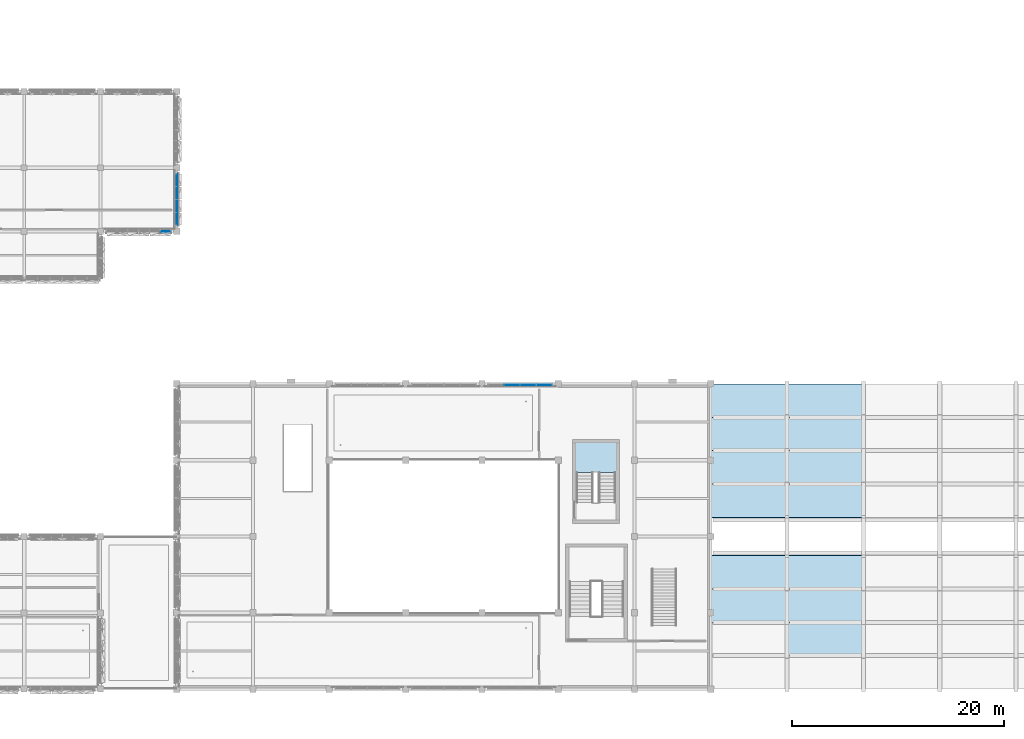
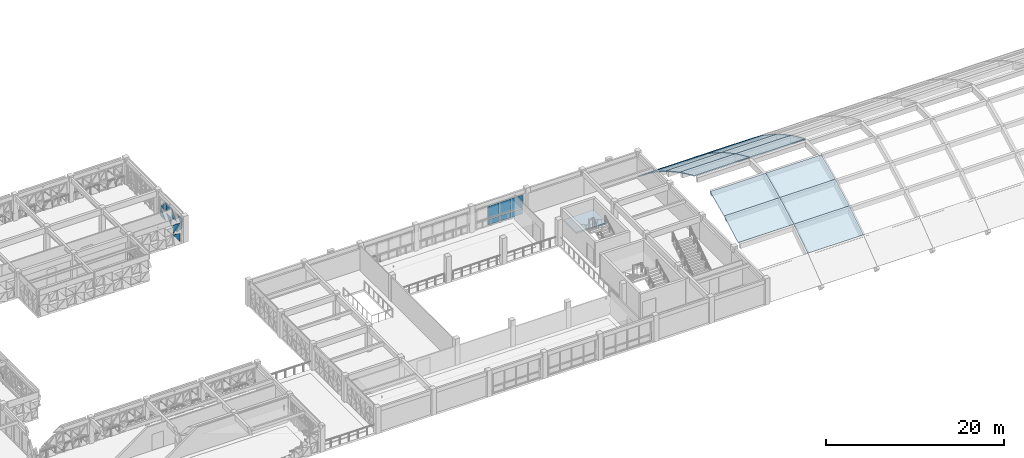
# One storey, part 39 of 85: 16 plates, 14 slabs, 4 elements without a shape of their own.
"""IFC4 building model written with IfcOpenShell, lengths in metres."""

import ifcopenshell
import ifcopenshell.guid

model = None  # the IFC model being written
_history = None  # IfcOwnerHistory: only IFC2X3 demands one
_inside = {}  # id of a spatial element -> (the spatial element, [elements in it])
_under = {}  # id of a project, library or spatial element -> (it, [spatial elements below it])
_declared = {}  # id of a project -> (the project, [libraries it declares])
_typed = {}  # id of a type object -> (the type object, [elements of that type])
_made_of = {}  # id of a material, layer set ... -> (it, [elements and type objects made of it])


def new_model(schema):
    """Start an empty IFC model of exactly this schema.

    Asked for "IFC4X3", IfcOpenShell would pick the latest addendum, in which some entities
    have other attributes; the version numbers below select the first issue.
    IFC2X3 requires an IfcOwnerHistory on every rooted entity: one is made here for all.
    """
    global model, _history
    if schema == "IFC4X3":
        model = ifcopenshell.file(schema_version=(4, 3, 0, 0))
    else:
        model = ifcopenshell.file(schema=schema)
    _inside.clear()
    _under.clear()
    _declared.clear()
    _typed.clear()
    _made_of.clear()
    _history = None
    if model.schema == "IFC2X3":
        org = make("IfcOrganization", Name="unknown")
        user = make(
            "IfcPersonAndOrganization",
            ThePerson=make("IfcPerson", FamilyName="unknown"),
            TheOrganization=org,
        )
        app = make(
            "IfcApplication",
            ApplicationDeveloper=org,
            Version="unknown",
            ApplicationFullName="unknown",
            ApplicationIdentifier="unknown",
        )
        _history = make(
            "IfcOwnerHistory",
            OwningUser=user,
            OwningApplication=app,
            ChangeAction="ADDED",
            CreationDate=0,
        )
    return model


def make(cls, **values):
    """One entity of the class cls with the attributes given. An attribute that is None is left unset."""
    return model.create_entity(
        cls, **{name: value for name, value in values.items() if value is not None}
    )


def rooted(cls, **values):
    """An entity with a GlobalId (a new one), such as an element, a storey or a relation."""
    return make(cls, GlobalId=ifcopenshell.guid.new(), OwnerHistory=_history, **values)


def si_unit(unit_type, name, prefix=None):
    """IfcSIUnit, for example si_unit("LENGTHUNIT", "METRE", prefix="MILLI")."""
    return make("IfcSIUnit", UnitType=unit_type, Prefix=prefix, Name=name)


def assignment(units):
    """IfcUnitAssignment: the units of a project."""
    return None if units is None else make("IfcUnitAssignment", Units=units)


def point(xyz):
    """IfcCartesianPoint."""
    return None if xyz is None else make("IfcCartesianPoint", Coordinates=xyz)


def direction(xyz):
    """IfcDirection."""
    return None if xyz is None else make("IfcDirection", DirectionRatios=xyz)


def frame(location, z_axis=None, x_axis=None):
    """IfcAxis2Placement3D, a coordinate frame: its origin and axes. An axis left out is left unset."""
    return make(
        "IfcAxis2Placement3D",
        Location=point(location),
        Axis=direction(z_axis),
        RefDirection=direction(x_axis),
    )


def frame_2d(location, x_axis=None):
    """IfcAxis2Placement2D, a coordinate frame in the plane: its origin and x axis."""
    return make(
        "IfcAxis2Placement2D", Location=point(location), RefDirection=direction(x_axis)
    )


def origin():
    """The frame at (0, 0, 0) with its axes left unset."""
    return frame((0.0, 0.0, 0.0))


def origin_2d():
    """The frame at (0, 0) in the plane with its x axis left unset."""
    return frame_2d((0.0, 0.0))


def place(relative_to, where):
    """IfcLocalPlacement: puts the frame where relative to a parent placement (None: the world)."""
    return make(
        "IfcLocalPlacement", PlacementRelTo=relative_to, RelativePlacement=where
    )


def context(
    kind, dimensions, precision=None, world=None, true_north=None, identifier=None
):
    """IfcGeometricRepresentationContext, for example the 3D "Model" context."""
    return make(
        "IfcGeometricRepresentationContext",
        ContextIdentifier=identifier,
        ContextType=kind,
        CoordinateSpaceDimension=dimensions,
        Precision=precision,
        WorldCoordinateSystem=world,
        TrueNorth=true_north,
    )


def subcontext(parent, identifier, kind, view, scale=None):
    """IfcGeometricRepresentationSubContext, for example "Body" below "Model"."""
    return make(
        "IfcGeometricRepresentationSubContext",
        ContextIdentifier=identifier,
        ContextType=kind,
        ParentContext=parent,
        TargetScale=scale,
        TargetView=view,
    )


def project(units=None, contexts=None):
    """IfcProject with its units and contexts."""
    return rooted(
        "IfcProject",
        Name="project",
        RepresentationContexts=contexts,
        UnitsInContext=assignment(units),
    )


def spatial(cls, under=None, at=None, **own):
    """A site, building, storey or space (cls), placed at a placement, below another one or the project."""
    s = rooted(cls, ObjectPlacement=at, **own)
    if under is not None:
        _under.setdefault(under.id(), (under, []))[1].append(s)
    return s


def polyline(points):
    """IfcPolyline through the points."""
    return make("IfcPolyline", Points=[point(p) for p in points])


def profile(cls, at=None, kind="AREA", **sizes):
    """A parametric profile (cls). Its sizes go by their IFC names, for example OverallWidth=200.0."""
    return make(cls, ProfileType=kind, Position=at, **sizes)


def rectangle(**sizes):
    """IfcRectangleProfileDef."""
    return profile("IfcRectangleProfileDef", **sizes)


def outline(outer, holes=None, kind="AREA"):
    """IfcArbitraryClosedProfileDef: a profile drawn as a closed curve; with holes, ...WithVoids."""
    if holes is None:
        return make("IfcArbitraryClosedProfileDef", ProfileType=kind, OuterCurve=outer)
    return make(
        "IfcArbitraryProfileDefWithVoids",
        ProfileType=kind,
        OuterCurve=outer,
        InnerCurves=holes,
    )


def extrude(swept, where, along, depth):
    """IfcExtrudedAreaSolid: the profile swept, set in the frame where, extruded along a direction by depth."""
    return make(
        "IfcExtrudedAreaSolid",
        SweptArea=swept,
        Position=where,
        ExtrudedDirection=direction(along),
        Depth=depth,
    )


def shape(context_of_items, identifier, shape_type, items):
    """IfcShapeRepresentation: the items that make up one representation, for example the "Body"."""
    return make(
        "IfcShapeRepresentation",
        ContextOfItems=context_of_items,
        RepresentationIdentifier=identifier,
        RepresentationType=shape_type,
        Items=items,
    )


def material(Name=None, Category=None):
    """IfcMaterial."""
    return make("IfcMaterial", Name=Name, Category=Category)


def layer(
    of_material, thickness, ventilated=None, Name=None, Category=None, Priority=None
):
    """IfcMaterialLayer: one layer of a wall or slab, of a material (None: an air gap)."""
    return make(
        "IfcMaterialLayer",
        Material=of_material,
        LayerThickness=thickness,
        IsVentilated=ventilated,
        Name=Name,
        Category=Category,
        Priority=Priority,
    )


def layer_set(layers, Name=None):
    """IfcMaterialLayerSet."""
    return make("IfcMaterialLayerSet", MaterialLayers=layers, LayerSetName=Name)


def made_of(thing, what):
    """Note that an element or type object is made of a material, layer set ...; save() writes the relation."""
    if what is not None:
        _made_of.setdefault(what.id(), (what, []))[1].append(thing)
    return thing


def type_object(cls, material=None, **own):
    """A type object (cls), such as IfcWallType, which elements share."""
    return made_of(rooted(cls, **own), material)


def element(
    cls,
    number,
    at=None,
    inside=None,
    cuts=None,
    type_object=None,
    material=None,
    context=None,
    identifier="Body",
    shape_type=None,
    held_by="IfcProductDefinitionShape",
    body=None,
    shapes=None,
    **own,
):
    """One element of the class cls, such as IfcWall. Its Tag is "e" and its number.

    at: its placement. inside: the storey or other place that contains it. cuts: it is an
    opening in that element (IfcRelVoidsElement). A single representation is given by context,
    identifier, shape_type and body (its items); several are given by shapes. held_by: the class
    of the entity that holds the representations. save() writes the other relations.
    """
    e = rooted(cls, Tag="e%d" % number, ObjectPlacement=at, **own)
    if body is not None:
        shapes = [shape(context, identifier, shape_type, body)]
    if shapes is not None:
        e.Representation = make(held_by, Representations=shapes)
    if inside is not None:
        _inside.setdefault(inside.id(), (inside, []))[1].append(e)
    if cuts is not None:
        rooted(
            "IfcRelVoidsElement", RelatingBuildingElement=cuts, RelatedOpeningElement=e
        )
    if type_object is not None:
        _typed.setdefault(type_object.id(), (type_object, []))[1].append(e)
    return made_of(e, material)


def aggregate(whole, parts):
    """IfcRelAggregates: a whole, such as a stair, and the parts it consists of."""
    return rooted("IfcRelAggregates", RelatingObject=whole, RelatedObjects=parts)


def save(model, path):
    """Write the relations noted so far, then the file.

    IfcRelAggregates (storeys below a building ...), IfcRelContainedInSpatialStructure (elements
    in a storey), IfcRelDefinesByType, IfcRelAssociatesMaterial and IfcRelDeclares: one each for
    every whole, place, type object, material and project.
    """
    for whole, parts in _under.values():
        aggregate(whole, parts)
    for where, things in _inside.values():
        rooted(
            "IfcRelContainedInSpatialStructure",
            RelatedElements=things,
            RelatingStructure=where,
        )
    for kind, things in _typed.values():
        rooted("IfcRelDefinesByType", RelatedObjects=things, RelatingType=kind)
    for what, things in _made_of.values():
        rooted("IfcRelAssociatesMaterial", RelatedObjects=things, RelatingMaterial=what)
    for by, libraries in _declared.values():
        rooted("IfcRelDeclares", RelatingContext=by, RelatedDefinitions=libraries)
    model.write(path)


model = new_model("IFC4")

# Units and contexts
model_context = context("Model", 3, precision=1e-05, world=origin(), true_north=direction((0.0, 1.0)))
body_context = subcontext(model_context, "Body", "Model", "MODEL_VIEW")
ifc_project = project(units=[si_unit("LENGTHUNIT", "METRE"), si_unit("AREAUNIT", "SQUARE_METRE"), si_unit("VOLUMEUNIT", "CUBIC_METRE"), si_unit("PLANEANGLEUNIT", "RADIAN"), si_unit("MASSUNIT", "GRAM", prefix="KILO")], contexts=[model_context])

# Site, building, storey
site_placement = place(None, origin())
site = spatial("IfcSite", under=ifc_project, at=site_placement, CompositionType="ELEMENT")
building_placement = place(site_placement, origin())
building = spatial("IfcBuilding", under=site, at=building_placement, Name="Alvorim Cloister Faculty of Sciences", CompositionType="ELEMENT")
storey_placement = place(building_placement, frame((0.0, 0.0, 8.550048828125)))
storey = spatial("IfcBuildingStorey", under=building, at=storey_placement, Name="L02", CompositionType="ELEMENT", Elevation=8.550048828125)

# Curtain wall, plates
ifc_material_1 = material(Name="Aluminium and Low-E Glass Curtain Wall", Category="aluminium")
curtain_wall_type_1 = type_object("IfcCurtainWallType", Name="CW-GLZ-6120x2850", PredefinedType="USERDEFINED", material=ifc_material_1)
curtain_wall_1_placement = place(storey_placement, origin())
curtain_wall_1 = element("IfcCurtainWall", 1, at=curtain_wall_1_placement, inside=storey, type_object=curtain_wall_type_1, Name="L02 Entrance and Atrium Glazed Curtain Wall CW-0099", ObjectType="UNITISED CURTAIN WALL", PredefinedType="USERDEFINED")
ifc_material_2 = material(Name="Double Low-E Laminated Glass", Category="glass")
ifc_layer_1 = layer(ifc_material_2, 0.031982421875)
ifc_layer_set_1 = layer_set([ifc_layer_1], Name="Double Low-E Laminated Glass")
plate_type_1 = type_object("IfcPlateType", Name="PN-GLZ-32", PredefinedType="CURTAIN_PANEL", material=ifc_layer_set_1)
plate_1_placement = place(storey_placement, frame((96.43505859375, 28.7099609375, 0.14013671875), z_axis=(0.0, 0.0, 1.0), x_axis=(1.0, 0.0, 0.0)))
plate_1 = element("IfcPlate", 2, at=plate_1_placement, type_object=plate_type_1, Name="CW-10 panel 2.1", PredefinedType="CURTAIN_PANEL", context=body_context, shape_type="SweptSolid", body=[
    extrude(rectangle(XDim=1.465087890625, YDim=0.031982421875, at=origin_2d()), origin(), (0.0, 0.0, 1.0), 0.739990234375),
])
plate_2_placement = place(storey_placement, frame((96.43505859375, 28.7099609375, 1.02001953125), z_axis=(0.0, 0.0, 1.0), x_axis=(1.0, 0.0, 0.0)))
plate_2 = element("IfcPlate", 3, at=plate_2_placement, type_object=plate_type_1, Name="CW-10 panel 2.2", PredefinedType="CURTAIN_PANEL", context=body_context, shape_type="SweptSolid", body=[
    extrude(rectangle(XDim=1.465087890625, YDim=0.031982421875, at=origin_2d()), origin(), (0.0, 0.0, 1.0), 1.68994140625),
])
plate_3_placement = place(storey_placement, frame((97.965087890625, 28.7099609375, 0.14013671875), z_axis=(0.0, 0.0, 1.0), x_axis=(1.0, 0.0, 0.0)))
plate_3 = element("IfcPlate", 4, at=plate_3_placement, type_object=plate_type_1, Name="CW-10 panel 3.1", PredefinedType="CURTAIN_PANEL", context=body_context, shape_type="SweptSolid", body=[
    extrude(rectangle(XDim=1.465087890625, YDim=0.031982421875, at=origin_2d()), origin(), (0.0, 0.0, 1.0), 0.739990234375),
])
plate_4_placement = place(storey_placement, frame((97.965087890625, 28.7099609375, 1.02001953125), z_axis=(0.0, 0.0, 1.0), x_axis=(1.0, 0.0, 0.0)))
plate_4 = element("IfcPlate", 5, at=plate_4_placement, type_object=plate_type_1, Name="CW-10 panel 3.2", PredefinedType="CURTAIN_PANEL", context=body_context, shape_type="SweptSolid", body=[
    extrude(rectangle(XDim=1.465087890625, YDim=0.031982421875, at=origin_2d()), origin(), (0.0, 0.0, 1.0), 1.68994140625),
])
plate_5_placement = place(storey_placement, frame((99.478759765625, 28.7099609375, 0.14013671875), z_axis=(0.0, 0.0, 1.0), x_axis=(1.0, 0.0, 0.0)))
plate_5 = element("IfcPlate", 6, at=plate_5_placement, type_object=plate_type_1, Name="CW-10 panel 4.1", PredefinedType="CURTAIN_PANEL", context=body_context, shape_type="SweptSolid", body=[
    extrude(rectangle(XDim=1.4326171875, YDim=0.031982421875, at=origin_2d()), origin(), (0.0, 0.0, 1.0), 0.739990234375),
])
plate_6_placement = place(storey_placement, frame((99.478759765625, 28.7099609375, 1.02001953125), z_axis=(0.0, 0.0, 1.0), x_axis=(1.0, 0.0, 0.0)))
plate_6 = element("IfcPlate", 7, at=plate_6_placement, type_object=plate_type_1, Name="CW-10 panel 4.2", PredefinedType="CURTAIN_PANEL", context=body_context, shape_type="SweptSolid", body=[
    extrude(rectangle(XDim=1.4326171875, YDim=0.031982421875, at=origin_2d()), origin(), (0.0, 0.0, 1.0), 1.68994140625),
])
aggregate(curtain_wall_1, [plate_1, plate_2, plate_3, plate_4, plate_5, plate_6])

curtain_wall_type_2 = type_object("IfcCurtainWallType", Name="CW-TRI-4920x2850", PredefinedType="USERDEFINED", material=ifc_material_1)
curtain_wall_2_placement = place(storey_placement, origin())
curtain_wall_2 = element("IfcCurtainWall", 8, at=curtain_wall_2_placement, inside=storey, type_object=curtain_wall_type_2, Name="L02 Diagonal Cassette Curtain Wall CW-0062", ObjectType="UNITISED CURTAIN WALL", PredefinedType="USERDEFINED")
ifc_layer_2 = layer(ifc_material_2, 0.0400390625)
ifc_layer_set_2 = layer_set([ifc_layer_2], Name="Double Low-E Laminated Glass")
plate_type_2 = type_object("IfcPlateType", Name="PN-GLZ-40", PredefinedType="CURTAIN_PANEL", material=ifc_layer_set_2)
plate_7_placement = place(storey_placement, frame((64.824951171875, 43.804931640625, 0.139892578125), z_axis=(0.0, 0.0, 1.0), x_axis=(0.0, 1.0, 0.0)))
plate_7 = element("IfcPlate", 9, at=plate_7_placement, type_object=plate_type_2, Name="Diagonal Glazed Triangle TRI-TR", PredefinedType="CURTAIN_PANEL", context=body_context, shape_type="SweptSolid", body=[
    extrude(outline(polyline([(1.132568359375, 0.001953125), (1.132568359375, 1.215087890625), (0.001953125, 1.215087890625), (1.132568359375, 0.001953125)])), frame((0.0, 0.02490234375, 0.0), z_axis=(0.0, -1.0, 0.0), x_axis=(1.0, 0.0, 0.0)), (0.0, 0.0, 1.0), 0.050048828125),
])
plate_8_placement = place(storey_placement, frame((64.824951171875, 43.804931640625, 1.494873046875), z_axis=(0.0, 0.0, 1.0), x_axis=(0.0, 1.0, 0.0)))
plate_8 = element("IfcPlate", 10, at=plate_8_placement, type_object=plate_type_2, Name="Diagonal Glazed Triangle TRI-TL", PredefinedType="CURTAIN_PANEL", context=body_context, shape_type="SweptSolid", body=[
    extrude(outline(polyline([(1.130615234375, 1.215087890625), (0.0, 1.215087890625), (0.0, 0.001953125), (1.130615234375, 1.215087890625)])), frame((0.0, 0.02490234375, 0.0), z_axis=(0.0, -1.0, 0.0), x_axis=(1.0, 0.0, 0.0)), (0.0, 0.0, 1.0), 0.050048828125),
])
plate_9_placement = place(storey_placement, frame((64.824951171875, 45.00244140625, 0.139892578125), z_axis=(0.0, 0.0, 1.0), x_axis=(0.0, 1.0, 0.0)))
plate_9 = element("IfcPlate", 11, at=plate_9_placement, type_object=plate_type_2, Name="Diagonal Glazed Triangle TRI-BL", PredefinedType="CURTAIN_PANEL", context=body_context, shape_type="SweptSolid", body=[
    extrude(outline(polyline([(0.0, 0.0), (1.1630859375, 0.0), (0.0, 1.213134765625), (0.0, 0.0)])), frame((0.0, 0.02490234375, 0.0), z_axis=(0.0, -1.0, 0.0), x_axis=(1.0, 0.0, 0.0)), (0.0, 0.0, 1.0), 0.050048828125),
])
plate_10_placement = place(storey_placement, frame((64.824951171875, 45.00244140625, 1.494873046875), z_axis=(0.0, 0.0, 1.0), x_axis=(0.0, 1.0, 0.0)))
plate_10 = element("IfcPlate", 12, at=plate_10_placement, type_object=plate_type_2, Name="Diagonal Glazed Triangle TRI-BR", PredefinedType="CURTAIN_PANEL", context=body_context, shape_type="SweptSolid", body=[
    extrude(outline(polyline([(0.001953125, 0.0), (1.1650390625, 0.0), (1.1650390625, 1.213134765625), (0.001953125, 0.0)])), frame((0.0, 0.02490234375, 0.0), z_axis=(0.0, -1.0, 0.0), x_axis=(1.0, 0.0, 0.0)), (0.0, 0.0, 1.0), 0.050048828125),
])
plate_11_placement = place(storey_placement, frame((64.824951171875, 46.232421875, 0.139892578125), z_axis=(0.0, 0.0, 1.0), x_axis=(0.0, 1.0, 0.0)))
plate_11 = element("IfcPlate", 13, at=plate_11_placement, type_object=plate_type_2, Name="Diagonal Glazed Triangle TRI-TL", PredefinedType="CURTAIN_PANEL", context=body_context, shape_type="SweptSolid", body=[
    extrude(outline(polyline([(1.1630859375, 1.215087890625), (0.0, 1.215087890625), (0.0, 0.001953125), (1.1630859375, 1.215087890625)])), frame((0.0, 0.02490234375, 0.0), z_axis=(0.0, -1.0, 0.0), x_axis=(1.0, 0.0, 0.0)), (0.0, 0.0, 1.0), 0.050048828125),
])
plate_12_placement = place(storey_placement, frame((64.824951171875, 46.232421875, 1.494873046875), z_axis=(0.0, 0.0, 1.0), x_axis=(0.0, 1.0, 0.0)))
plate_12 = element("IfcPlate", 14, at=plate_12_placement, type_object=plate_type_2, Name="Diagonal Glazed Triangle TRI-TR", PredefinedType="CURTAIN_PANEL", context=body_context, shape_type="SweptSolid", body=[
    extrude(outline(polyline([(1.1650390625, 0.001953125), (1.1650390625, 1.215087890625), (0.001953125, 1.215087890625), (1.1650390625, 0.001953125)])), frame((0.0, 0.02490234375, 0.0), z_axis=(0.0, -1.0, 0.0), x_axis=(1.0, 0.0, 0.0)), (0.0, 0.0, 1.0), 0.050048828125),
])
plate_13_placement = place(storey_placement, frame((64.824951171875, 47.46240234375, 0.139892578125), z_axis=(0.0, 0.0, 1.0), x_axis=(0.0, 1.0, 0.0)))
plate_13 = element("IfcPlate", 15, at=plate_13_placement, type_object=plate_type_2, Name="Diagonal Glazed Triangle TRI-BR", PredefinedType="CURTAIN_PANEL", context=body_context, shape_type="SweptSolid", body=[
    extrude(outline(polyline([(0.001953125, 0.0), (1.132568359375, 0.0), (1.132568359375, 1.213134765625), (0.001953125, 0.0)])), frame((0.0, 0.02490234375, 0.0), z_axis=(0.0, -1.0, 0.0), x_axis=(1.0, 0.0, 0.0)), (0.0, 0.0, 1.0), 0.050048828125),
])
plate_14_placement = place(storey_placement, frame((64.824951171875, 47.46240234375, 1.494873046875), z_axis=(0.0, 0.0, 1.0), x_axis=(0.0, 1.0, 0.0)))
plate_14 = element("IfcPlate", 16, at=plate_14_placement, type_object=plate_type_2, Name="Diagonal Glazed Triangle TRI-BL", PredefinedType="CURTAIN_PANEL", context=body_context, shape_type="SweptSolid", body=[
    extrude(outline(polyline([(0.0, 0.0), (1.130615234375, 0.0), (0.0, 1.213134765625), (0.0, 0.0)])), frame((0.0, 0.02490234375, 0.0), z_axis=(0.0, -1.0, 0.0), x_axis=(1.0, 0.0, 0.0)), (0.0, 0.0, 1.0), 0.050048828125),
])
aggregate(curtain_wall_2, [plate_7, plate_8, plate_9, plate_10, plate_11, plate_12, plate_13, plate_14])

curtain_wall_type_3 = type_object("IfcCurtainWallType", Name="CW-TRI-6120x2850", PredefinedType="USERDEFINED", material=ifc_material_1)
curtain_wall_3_placement = place(storey_placement, origin())
curtain_wall_3 = element("IfcCurtainWall", 17, at=curtain_wall_3_placement, inside=storey, type_object=curtain_wall_type_3, Name="L02 Diagonal Cassette Curtain Wall CW-0063", ObjectType="UNITISED CURTAIN WALL", PredefinedType="USERDEFINED")
plate_15_placement = place(storey_placement, frame((63.2724609375, 43.175048828125, 0.139892578125), z_axis=(0.0, 0.0, 1.0), x_axis=(1.0, 0.0, 0.0)))
plate_15 = element("IfcPlate", 18, at=plate_15_placement, type_object=plate_type_2, Name="Diagonal Glazed Triangle TRI-TR", PredefinedType="CURTAIN_PANEL", context=body_context, shape_type="SweptSolid", body=[
    extrude(outline(polyline([(0.922607421875, 0.001953125), (0.922607421875, 1.215087890625), (0.001953125, 1.215087890625), (0.922607421875, 0.001953125)])), frame((0.0, 0.02490234375, 0.0), z_axis=(0.0, -1.0, 0.0), x_axis=(1.0, 0.0, 0.0)), (0.0, 0.0, 1.0), 0.050048828125),
])
plate_16_placement = place(storey_placement, frame((63.2724609375, 43.175048828125, 1.494873046875), z_axis=(0.0, 0.0, 1.0), x_axis=(1.0, 0.0, 0.0)))
plate_16 = element("IfcPlate", 19, at=plate_16_placement, type_object=plate_type_2, Name="Diagonal Glazed Triangle TRI-TL", PredefinedType="CURTAIN_PANEL", context=body_context, shape_type="SweptSolid", body=[
    extrude(outline(polyline([(0.920654296875, 1.215087890625), (0.0, 1.215087890625), (0.0, 0.001953125), (0.920654296875, 1.215087890625)])), frame((0.0, 0.02490234375, 0.0), z_axis=(0.0, -1.0, 0.0), x_axis=(1.0, 0.0, 0.0)), (0.0, 0.0, 1.0), 0.050048828125),
])
aggregate(curtain_wall_3, [plate_15, plate_16])

# Stair, slab
ifc_material_3 = material(Name="Concrete C40", Category="concrete")
stair_type = type_object("IfcStairType", Name="STR-ST-06-1600x3600", PredefinedType="HALF_TURN_STAIR", material=ifc_material_3)
stair_placement = place(storey_placement, origin())
stair = element("IfcStair", 20, at=stair_placement, inside=storey, type_object=stair_type, Name="L02 Enclosed Smoke-Proof Stair ST-06", PredefinedType="HALF_TURN_STAIR")
ifc_layer_3 = layer(ifc_material_3, 0.199951171875)
ifc_layer_set_3 = layer_set([ifc_layer_3], Name="Concrete C40")
slab_type_1 = type_object("IfcSlabType", Name="SL-LAND-200", PredefinedType="LANDING", material=ifc_layer_set_3)
slab_1_placement = place(storey_placement, frame((0.0, 0.0, 1.599853515625)))
slab_1 = element("IfcSlab", 21, at=slab_1_placement, type_object=slab_type_1, Name="ST-06 landing 1", PredefinedType="LANDING", context=body_context, shape_type="SweptSolid", body=[
    extrude(outline(polyline([(106.340087890625, 20.43505859375), (106.340087890625, 23.320068359375), (102.3798828125, 23.320068359375), (102.3798828125, 20.43505859375), (106.340087890625, 20.43505859375)])), origin(), (0.0, 0.0, 1.0), 0.2001953125),
])
aggregate(stair, [slab_1])

# Slabs
ifc_layer_4 = layer(ifc_material_3, 0.110107421875)
ifc_layer_set_4 = layer_set([ifc_layer_4], Name="Concrete C40")
slab_type_2 = type_object("IfcSlabType", Name="SL-SHELL-110", PredefinedType="ROOF", material=ifc_layer_set_4)
slab_2_placement = place(storey_placement, frame((115.199951171875, 6.300048828125, 4.5146484375), z_axis=(0.0, -0.48248677866, 0.875903252887), x_axis=(1.0, 0.0, 0.0)))
element("IfcSlab", 22, at=slab_2_placement, inside=storey, type_object=slab_type_2, Name="SH-V1 Pointed Concrete Shell Chord 1.S3", PredefinedType="ROOF", context=body_context, shape_type="SweptSolid", body=[
    extrude(outline(polyline([(0.0, 0.0), (7.199951171875, 0.0), (7.199951171875, 3.5961760997770185), (0.0, 3.5961760997770185), (0.0, 0.0)])), origin(), (0.0, 0.0, -1.0), 0.110107421875),
])
for number, where, z_axis, x_axis, name in (
    (23, (115.199951171875, 9.449951171875, 6.249755859375), (0.0, -0.416778422587, 0.909008111331), (1.0, 0.0, 0.0), "SH-V1 Pointed Concrete Shell Chord 1.S4"),
    (24, (115.199951171875, 16.199951171875, 7.694091796875), (0.0, 0.416778422587, 0.909008111331), (1.0, 0.0, 0.0), "SH-V1 Pointed Concrete Shell Chord 1.N1"),
):
    element("IfcSlab", number, at=place(storey_placement, frame(where, z_axis=z_axis, x_axis=x_axis)), inside=storey, type_object=slab_type_2, Name=name, PredefinedType="ROOF", context=body_context, shape_type="SweptSolid", body=[
        extrude(outline(polyline([(0.0, 0.0), (7.199951171875, 0.0), (7.199951171875, 3.465476759895264), (0.0, 3.465476759895264), (0.0, 0.0)])), origin(), (0.0, 0.0, -1.0), 0.110107421875),
    ])
slab_3_placement = place(storey_placement, frame((115.199951171875, 19.35009765625, 6.249755859375), z_axis=(0.0, 0.48248677866, 0.875903252887), x_axis=(1.0, 0.0, 0.0)))
element("IfcSlab", 25, at=slab_3_placement, inside=storey, type_object=slab_type_2, Name="SH-V1 Pointed Concrete Shell Chord 1.N2", PredefinedType="ROOF", context=body_context, shape_type="SweptSolid", body=[
    extrude(outline(polyline([(0.0, 0.0), (7.199951171875, 0.0), (7.199951171875, 3.5961760997770185), (0.0, 3.5961760997770185), (0.0, 0.0)])), origin(), (0.0, 0.0, -1.0), 0.110107421875),
])
slab_4_placement = place(storey_placement, frame((115.199951171875, 22.5, 4.5146484375), z_axis=(0.0, 0.548206098146, 0.83634327519), x_axis=(1.0, 0.0, 0.0)))
element("IfcSlab", 26, at=slab_4_placement, inside=storey, type_object=slab_type_2, Name="SH-V1 Pointed Concrete Shell Chord 1.N3", PredefinedType="ROOF", context=body_context, shape_type="SweptSolid", body=[
    extrude(outline(polyline([(0.0, 0.0), (7.199951171875, 0.0), (7.199951171875, 3.7662792745415326), (0.0, 3.7662792745415326), (0.0, 0.0)])), origin(), (0.0, 0.0, -1.0), 0.110107421875),
])
slab_5_placement = place(storey_placement, frame((115.199951171875, 25.64990234375, 2.449951171875), z_axis=(0.0, 0.613915201046, 0.789371981973), x_axis=(1.0, 0.0, 0.0)))
element("IfcSlab", 27, at=slab_5_placement, inside=storey, type_object=slab_type_2, Name="SH-V1 Pointed Concrete Shell Chord 1.N4", PredefinedType="ROOF", context=body_context, shape_type="SweptSolid", body=[
    extrude(outline(polyline([(0.0, 0.0), (7.199951171875, 0.0), (7.199951171875, 3.9906996401122266), (0.0, 3.9906996401122266), (0.0, 0.0)])), origin(), (0.0, 0.0, -1.0), 0.110107421875),
])
slab_6_placement = place(storey_placement, frame((122.39990234375, 3.14990234375, 2.449951171875), z_axis=(0.0, -0.548176378921, 0.836362754786), x_axis=(1.0, 0.0, 0.0)))
element("IfcSlab", 28, at=slab_6_placement, inside=storey, type_object=slab_type_2, Name="SH-V1 Pointed Concrete Shell Chord 2.S2", PredefinedType="ROOF", context=body_context, shape_type="SweptSolid", body=[
    extrude(outline(polyline([(0.0, 0.0), (7.2001953125, 0.0), (7.2001953125, 3.766483462289397), (0.0, 3.766483462289397), (0.0, 0.0)])), origin(), (0.0, 0.0, -1.0), 0.110107421875),
])
slab_7_placement = place(storey_placement, frame((122.39990234375, 6.300048828125, 4.5146484375), z_axis=(0.0, -0.48248677866, 0.875903252887), x_axis=(1.0, 0.0, 0.0)))
element("IfcSlab", 29, at=slab_7_placement, inside=storey, type_object=slab_type_2, Name="SH-V1 Pointed Concrete Shell Chord 2.S3", PredefinedType="ROOF", context=body_context, shape_type="SweptSolid", body=[
    extrude(outline(polyline([(0.0, 0.0), (7.2001953125, 0.0), (7.2001953125, 3.59617609977702), (0.0, 3.59617609977702), (0.0, 0.0)])), origin(), (0.0, 0.0, -1.0), 0.110107421875),
])
for number, where, z_axis, x_axis, name in (
    (30, (122.39990234375, 9.449951171875, 6.249755859375), (0.0, -0.416778422587, 0.909008111331), (1.0, 0.0, 0.0), "SH-V1 Pointed Concrete Shell Chord 2.S4"),
    (31, (122.39990234375, 16.199951171875, 7.694091796875), (0.0, 0.416778422587, 0.909008111331), (1.0, 0.0, 0.0), "SH-V1 Pointed Concrete Shell Chord 2.N1"),
):
    element("IfcSlab", number, at=place(storey_placement, frame(where, z_axis=z_axis, x_axis=x_axis)), inside=storey, type_object=slab_type_2, Name=name, PredefinedType="ROOF", context=body_context, shape_type="SweptSolid", body=[
        extrude(outline(polyline([(0.0, 0.0), (7.2001953125, 0.0), (7.2001953125, 3.465476759895264), (0.0, 3.465476759895264), (0.0, 0.0)])), origin(), (0.0, 0.0, -1.0), 0.110107421875),
    ])
slab_8_placement = place(storey_placement, frame((122.39990234375, 19.35009765625, 6.249755859375), z_axis=(0.0, 0.48248677866, 0.875903252887), x_axis=(1.0, 0.0, 0.0)))
element("IfcSlab", 32, at=slab_8_placement, inside=storey, type_object=slab_type_2, Name="SH-V1 Pointed Concrete Shell Chord 2.N2", PredefinedType="ROOF", context=body_context, shape_type="SweptSolid", body=[
    extrude(outline(polyline([(0.0, 0.0), (7.2001953125, 0.0), (7.2001953125, 3.59617609977702), (0.0, 3.59617609977702), (0.0, 0.0)])), origin(), (0.0, 0.0, -1.0), 0.110107421875),
])
slab_9_placement = place(storey_placement, frame((122.39990234375, 22.5, 4.5146484375), z_axis=(0.0, 0.548206098146, 0.83634327519), x_axis=(1.0, 0.0, 0.0)))
element("IfcSlab", 33, at=slab_9_placement, inside=storey, type_object=slab_type_2, Name="SH-V1 Pointed Concrete Shell Chord 2.N3", PredefinedType="ROOF", context=body_context, shape_type="SweptSolid", body=[
    extrude(outline(polyline([(0.0, 0.0), (7.2001953125, 0.0), (7.2001953125, 3.7662792745415334), (0.0, 3.7662792745415334), (0.0, 0.0)])), origin(), (0.0, 0.0, -1.0), 0.110107421875),
])
slab_10_placement = place(storey_placement, frame((122.39990234375, 25.64990234375, 2.449951171875), z_axis=(0.0, 0.613915201046, 0.789371981973), x_axis=(1.0, 0.0, 0.0)))
element("IfcSlab", 34, at=slab_10_placement, inside=storey, type_object=slab_type_2, Name="SH-V1 Pointed Concrete Shell Chord 2.N4", PredefinedType="ROOF", context=body_context, shape_type="SweptSolid", body=[
    extrude(outline(polyline([(0.0, 0.0), (7.2001953125, 0.0), (7.2001953125, 3.9906996401122274), (0.0, 3.9906996401122274), (0.0, 0.0)])), origin(), (0.0, 0.0, -1.0), 0.110107421875),
])

save(model, "model.ifc")
